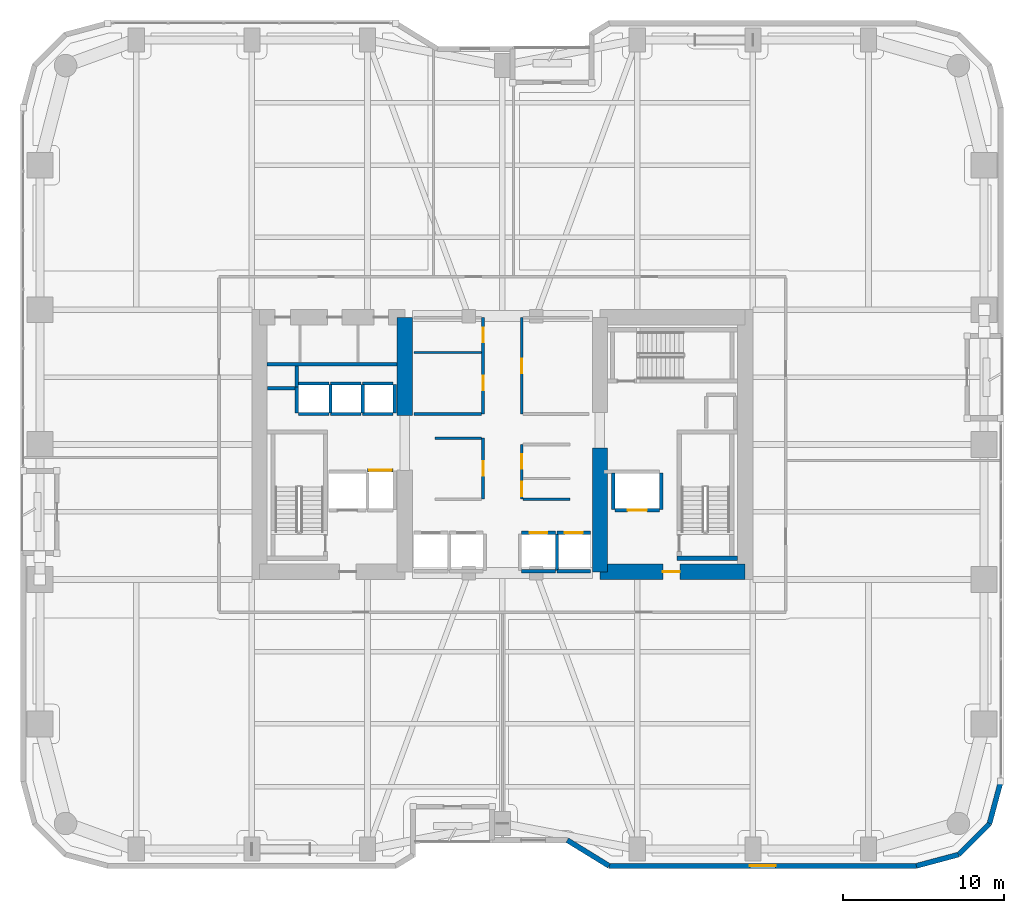
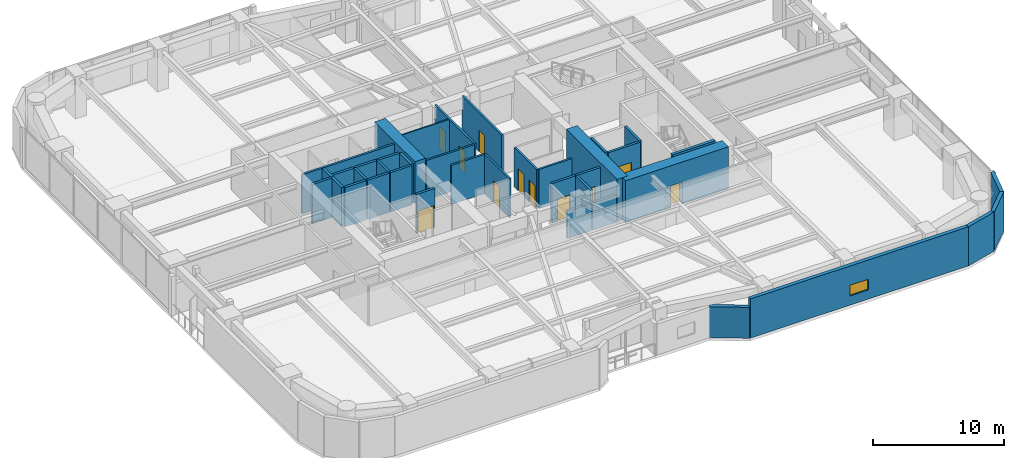
# One storey, part 23 of 29: 39 walls, 11 doors, 1 window, 12 openings.
"""IFC4 building model written with IfcOpenShell, lengths in metres."""

from ifc_helpers import new_model, si_unit, direction, frame, frame_2d, origin, place, context, subcontext, project, spatial, rectangle, extrude, material, layer, layer_set, type_object, element, fill, save


model = new_model("IFC4")

# Units and contexts
model_context = context("Model", 3, precision=1e-05, world=origin(), true_north=direction((0.0, 1.0)))
body_context = subcontext(model_context, "Body", "Model", "MODEL_VIEW")
ifc_project = project(units=[si_unit("LENGTHUNIT", "METRE"), si_unit("AREAUNIT", "SQUARE_METRE"), si_unit("VOLUMEUNIT", "CUBIC_METRE"), si_unit("PLANEANGLEUNIT", "RADIAN"), si_unit("MASSUNIT", "GRAM", prefix="KILO")], contexts=[model_context])

# Site, building, storey
site_placement = place(None, origin())
site = spatial("IfcSite", under=ifc_project, at=site_placement, CompositionType="ELEMENT")
building_placement = place(site_placement, origin())
building = spatial("IfcBuilding", under=site, at=building_placement, Name="Kiyonajd Concourse Tower", CompositionType="ELEMENT")
storey_placement = place(building_placement, frame((0.0, 0.0, 29.39990234375)))
storey = spatial("IfcBuildingStorey", under=building, at=storey_placement, Name="L08", CompositionType="ELEMENT", Elevation=29.39990234375)

# Walls
ifc_material_1 = material(Name="Concrete C80/95", Category="concrete")
ifc_layer_1 = layer(ifc_material_1, 0.949951171875)
ifc_layer_set_1 = layer_set([ifc_layer_1], Name="Concrete C80/95")
wall_type_1 = type_object("IfcWallType", Name="WL-CORE-950", PredefinedType="SHEAR", material=ifc_layer_set_1)
wall_1_placement = place(storey_placement, frame((41.925048828125, 37.800048828125, 0.0), z_axis=(0.0, 0.0, 1.0), x_axis=(0.0, 1.0, 0.0)))
element("IfcWall", 1, at=wall_1_placement, inside=storey, type_object=wall_type_1, Name="L08 West Core Inner North Shear Wall", PredefinedType="SHEAR", context=body_context, shape_type="SweptSolid", body=[
    extrude(rectangle(XDim=6.125, YDim=0.949951171875, at=frame_2d((3.0625, 0.0))), origin(), (0.0, 0.0, 1.0), 3.900146484375),
])
wall_2_placement = place(storey_placement, frame((54.074951171875, 28.074951171875, 0.0), z_axis=(0.0, 0.0, 1.0), x_axis=(0.0, 1.0, 0.0)))
element("IfcWall", 2, at=wall_2_placement, inside=storey, type_object=wall_type_1, Name="L08 East Core Inner South Shear Wall", PredefinedType="SHEAR", context=body_context, shape_type="SweptSolid", body=[
    extrude(rectangle(XDim=7.72509765625, YDim=0.949951171875, at=frame_2d((3.862548828125, 0.0))), origin(), (0.0, 0.0, 1.0), 3.900146484375),
])

# Wall, opening, door
wall_3_placement = place(storey_placement, frame((54.074951171875, 28.074951171875, 0.0), z_axis=(0.0, 0.0, 1.0), x_axis=(1.0, 0.0, 0.0)))
wall_3 = element("IfcWall", 3, at=wall_3_placement, inside=storey, type_object=wall_type_1, Name="L08 East Core South Shear Wall", PredefinedType="SHEAR", context=body_context, shape_type="SweptSolid", body=[
    extrude(rectangle(XDim=9.050048828125, YDim=0.949951171875, at=frame_2d((4.52490234375, 0.0))), origin(), (0.0, 0.0, 1.0), 3.900146484375),
])
opening_1_placement = place(wall_3_placement, frame((3.925048828125, 0.0, 0.0)))
opening_1 = element("IfcOpeningElement", 4, at=opening_1_placement, cuts=wall_3, Name="Opening DF5", PredefinedType="OPENING", context=body_context, shape_type="SweptSolid", body=[
    extrude(rectangle(XDim=1.050048828125, YDim=2.0400390625, at=frame_2d((0.52490234375, 1.02001953125))), frame((0.0, 0.48486328125, 0.0), z_axis=(0.0, -1.0, 0.0), x_axis=(1.0, 0.0, 0.0)), (0.0, 0.0, 1.0), 0.969970703125),
])
ifc_material_2 = material(Name="Brushed Stainless Steel Cab Assembly", Category="steel")
door_type_1 = type_object("IfcDoorType", Name="DR-FD45-1050", OperationType="NOTDEFINED", PredefinedType="DOOR", material=ifc_material_2)
door_1_placement = place(opening_1_placement, origin())
door_1 = element("IfcDoor", 5, at=door_1_placement, inside=storey, type_object=door_type_1, Name="L08 Firefighting Lift Lobby E Smoke Door", OperationType="SINGLE_SWING_RIGHT", OverallHeight=2.0400390625, OverallWidth=1.050048828125, PredefinedType="DOOR", context=body_context, shape_type="SweptSolid", body=[
    extrude(rectangle(XDim=1.050048828125, YDim=2.0400390625, at=frame_2d((0.52490234375, 1.02001953125))), frame((0.0, 0.02490234375, 0.0), z_axis=(0.0, -1.0, 0.0), x_axis=(1.0, 0.0, 0.0)), (0.0, 0.0, 1.0), 0.050048828125),
])
fill(opening_1, door_1)

# Walls
ifc_material_3 = material(Name="Precast concrete C50/60", Category="concrete")
ifc_layer_2 = layer(ifc_material_3, 0.320068359375)
ifc_layer_set_2 = layer_set([ifc_layer_2], Name="Precast concrete C50/60")
wall_type_2 = type_object("IfcWallType", Name="WL-EXT-320", PredefinedType="SOLIDWALL", material=ifc_layer_set_2)
wall_4_placement = place(storey_placement, frame((79.0400390625, 15.02099609375, 0.0), z_axis=(0.0, 0.0, 1.0), x_axis=(-0.25869736047, -0.965958423373, 0.0)))
element("IfcWall", 6, at=wall_4_placement, inside=storey, type_object=wall_type_2, Name="L08 Exterior Concrete Frame Wall 25", PredefinedType="SOLIDWALL", context=body_context, shape_type="SweptSolid", body=[
    extrude(rectangle(XDim=2.731201171875, YDim=0.320068359375, at=frame_2d((1.36572265625, 0.0))), origin(), (0.0, 0.0, 1.0), 3.64013671875),
])
wall_5_placement = place(storey_placement, frame((78.33349609375, 12.3828125, 0.0), z_axis=(0.0, 0.0, 1.0), x_axis=(-0.707106781187, -0.707106781187, 0.0)))
element("IfcWall", 7, at=wall_5_placement, inside=storey, type_object=wall_type_2, Name="L08 Exterior Concrete Frame Wall 26", PredefinedType="SOLIDWALL", context=body_context, shape_type="SweptSolid", body=[
    extrude(rectangle(XDim=2.7099609375, YDim=0.320068359375, at=frame_2d((1.35498046875, 0.0))), origin(), (0.0, 0.0, 1.0), 3.64013671875),
])
wall_6_placement = place(storey_placement, frame((76.417236328125, 10.466552734375, 0.0), z_axis=(0.0, 0.0, 1.0), x_axis=(-0.965964405026, -0.25867502435, 0.0)))
element("IfcWall", 8, at=wall_6_placement, inside=storey, type_object=wall_type_2, Name="L08 Exterior Concrete Frame Wall 27", PredefinedType="SOLIDWALL", context=body_context, shape_type="SweptSolid", body=[
    extrude(rectangle(XDim=2.7314453125, YDim=0.320068359375, at=frame_2d((1.36572265625, 0.0))), origin(), (0.0, 0.0, 1.0), 3.64013671875),
])

# Wall, opening, window
wall_7_placement = place(storey_placement, frame((73.77880859375, 9.760009765625, 0.0), z_axis=(0.0, 0.0, 1.0), x_axis=(-1.0, 0.0, 0.0)))
wall_7 = element("IfcWall", 9, at=wall_7_placement, inside=storey, type_object=wall_type_2, Name="L08 Exterior Concrete Frame Wall 28", PredefinedType="SOLIDWALL", context=body_context, shape_type="SweptSolid", body=[
    extrude(rectangle(XDim=19.133544921875, YDim=0.320068359375, at=frame_2d((9.56689453125, 0.0))), origin(), (0.0, 0.0, 1.0), 3.64013671875),
])
opening_2_placement = place(wall_7_placement, frame((8.76708984375, 0.0, 0.85009765625)))
opening_2 = element("IfcOpeningElement", 10, at=opening_2_placement, cuts=wall_7, Name="Opening WN6", PredefinedType="OPENING", context=body_context, shape_type="SweptSolid", body=[
    extrude(rectangle(XDim=1.60009765625, YDim=1.0, at=frame_2d((0.800048828125, 0.5))), frame((0.0, 0.169921875, 0.0), z_axis=(0.0, -1.0, 0.0), x_axis=(1.0, 0.0, 0.0)), (0.0, 0.0, 1.0), 0.340087890625),
])
ifc_material_4 = material(Name="Double Low-E Insulated Glass", Category="glass")
window_type = type_object("IfcWindowType", Name="WN-VIS-1600x1000", PartitioningType="SINGLE_PANEL", PredefinedType="WINDOW", material=ifc_material_4)
window_placement = place(opening_2_placement, origin())
window = element("IfcWindow", 11, at=window_placement, inside=storey, type_object=window_type, Name="L08 Modular Facade Vision Window 28", OverallHeight=1.0, OverallWidth=1.60009765625, PartitioningType="SINGLE_PANEL", PredefinedType="WINDOW", context=body_context, shape_type="SweptSolid", body=[
    extrude(rectangle(XDim=1.60009765625, YDim=1.0, at=frame_2d((0.800048828125, 0.5))), frame((0.0, 0.030029296875, 0.0), z_axis=(0.0, -1.0, 0.0), x_axis=(1.0, 0.0, 0.0)), (0.0, 0.0, 1.0), 0.06005859375),
])
fill(opening_2, window)

# Walls
wall_8_placement = place(storey_placement, frame((54.645263671875, 9.760009765625, 0.0), z_axis=(0.0, 0.0, 1.0), x_axis=(-0.851630857047, 0.524142044989, 0.0)))
element("IfcWall", 12, at=wall_8_placement, inside=storey, type_object=wall_type_2, Name="L08 Exterior Concrete Frame Wall 29", PredefinedType="SOLIDWALL", context=body_context, shape_type="SweptSolid", body=[
    extrude(rectangle(XDim=3.052734375, YDim=0.320068359375, at=frame_2d((1.5263671875, 0.0))), origin(), (0.0, 0.0, 1.0), 2.875),
])
ifc_material_5 = material(Name="Gypsum Board on Cold-Formed Steel Stud", Category="steel")
ifc_layer_3 = layer(ifc_material_5, 0.125)
ifc_layer_set_3 = layer_set([ifc_layer_3], Name="Gypsum Board on Cold-Formed Steel Stud")
wall_type_3 = type_object("IfcWallType", Name="WL-PART-125", PredefinedType="PARTITIONING", material=ifc_layer_set_3)
wall_9_placement = place(storey_placement, frame((42.5, 41.739990234375, 0.0), z_axis=(0.0, 0.0, 1.0), x_axis=(1.0, 0.0, 0.0)))
element("IfcWall", 13, at=wall_9_placement, inside=storey, type_object=wall_type_3, Name="L08 Interior Partition Wall", PredefinedType="PARTITIONING", context=body_context, shape_type="SweptSolid", body=[
    extrude(rectangle(XDim=4.212890625, YDim=0.125, at=frame_2d((2.1064453125, 0.0))), origin(), (0.0, 0.0, 1.0), 3.64013671875),
])
ifc_layer_4 = layer(ifc_material_5, 0.18994140625)
ifc_layer_set_4 = layer_set([ifc_layer_4], Name="Gypsum Board on Cold-Formed Steel Stud")
wall_type_4 = type_object("IfcWallType", Name="WL-PLMB-190", PredefinedType="PLUMBINGWALL", material=ifc_layer_set_4)
wall_10_placement = place(storey_placement, frame((33.35009765625, 41.0, 0.0), z_axis=(0.0, 0.0, 1.0), x_axis=(1.0, 0.0, 0.0)))
element("IfcWall", 14, at=wall_10_placement, inside=storey, type_object=wall_type_4, Name="L08 Interior Partition Wall", PredefinedType="PLUMBINGWALL", context=body_context, shape_type="SweptSolid", body=[
    extrude(rectangle(XDim=8.099853515625, YDim=0.18994140625, at=frame_2d((4.0498046875, 0.0))), origin(), (0.0, 0.0, 1.0), 3.64013671875),
])
ifc_layer_5 = layer(ifc_material_5, 0.2099609375)
ifc_layer_set_5 = layer_set([ifc_layer_5], Name="Gypsum Board on Cold-Formed Steel Stud")
wall_type_5 = type_object("IfcWallType", Name="WL-SHAFT-210", PredefinedType="PARTITIONING", material=ifc_layer_set_5)
wall_11_placement = place(storey_placement, frame((33.360107421875, 39.5, 0.0), z_axis=(0.0, 0.0, 1.0), x_axis=(1.0, 0.0, 0.0)))
element("IfcWall", 15, at=wall_11_placement, inside=storey, type_object=wall_type_5, Name="L08 Shaft Enclosure Wall", PredefinedType="PARTITIONING", context=body_context, shape_type="SweptSolid", body=[
    extrude(rectangle(XDim=1.85986328125, YDim=0.2099609375, at=frame_2d((0.929931640625, 0.0))), origin(), (0.0, 0.0, 1.0), 3.64013671875),
])
wall_12_placement = place(storey_placement, frame((35.199951171875, 39.580078125, 0.0), z_axis=(0.0, 0.0, 1.0), x_axis=(0.0, 1.0, 0.0)))
element("IfcWall", 16, at=wall_12_placement, inside=storey, type_object=wall_type_5, Name="L08 Shaft Enclosure Wall", PredefinedType="PARTITIONING", context=body_context, shape_type="SweptSolid", body=[
    extrude(rectangle(XDim=1.31982421875, YDim=0.2099609375, at=frame_2d((0.659912109375, 0.0))), origin(), (0.0, 0.0, 1.0), 3.64013671875),
])

# Wall, opening, door
wall_13_placement = place(storey_placement, frame((55.0, 31.89990234375, 0.0), z_axis=(0.0, 0.0, 1.0), x_axis=(1.0, 0.0, 0.0)))
wall_13 = element("IfcWall", 17, at=wall_13_placement, inside=storey, type_object=wall_type_5, Name="L08 Shaft Enclosure Wall", PredefinedType="PARTITIONING", context=body_context, shape_type="SweptSolid", body=[
    extrude(rectangle(XDim=2.800048828125, YDim=0.2099609375, at=frame_2d((1.39990234375, 0.0))), origin(), (0.0, 0.0, 1.0), 3.64013671875),
])
opening_3_placement = place(wall_13_placement, frame((0.800048828125, 0.0, 0.0)))
opening_3 = element("IfcOpeningElement", 18, at=opening_3_placement, cuts=wall_13, Name="Opening LD2", PredefinedType="OPENING", context=body_context, shape_type="SweptSolid", body=[
    extrude(rectangle(XDim=1.199951171875, YDim=2.0400390625, at=frame_2d((0.60009765625, 1.02001953125))), frame((0.0, 0.114990234375, 0.0), z_axis=(0.0, -1.0, 0.0), x_axis=(1.0, 0.0, 0.0)), (0.0, 0.0, 1.0), 0.22998046875),
])
door_type_2 = type_object("IfcDoorType", Name="DR-LD-1200", OperationType="DOUBLE_DOOR_SLIDING", PredefinedType="DOOR", material=ifc_material_2)
door_2_placement = place(opening_3_placement, origin())
door_2 = element("IfcDoor", 19, at=door_2_placement, inside=storey, type_object=door_type_2, Name="L08 Lift FFL2 Sliding Landing Door", OperationType="DOUBLE_DOOR_SLIDING", OverallHeight=2.0400390625, OverallWidth=1.199951171875, PredefinedType="DOOR", context=body_context, shape_type="SweptSolid", body=[
    extrude(rectangle(XDim=1.199951171875, YDim=2.0400390625, at=frame_2d((0.60009765625, 1.02001953125))), frame((0.0, 0.02490234375, 0.0), z_axis=(0.0, -1.0, 0.0), x_axis=(1.0, 0.0, 0.0)), (0.0, 0.0, 1.0), 0.050048828125),
])
fill(opening_3, door_2)

# Walls
for number, where, z_axis, x_axis, name in (
    (20, (54.89990234375, 31.9599609375, 0.0), (0.0, 0.0, 1.0), (0.0, 1.0, 0.0), "L08 Shaft Enclosure Wall"),
    (21, (57.89990234375, 31.9599609375, 0.0), (0.0, 0.0, 1.0), (0.0, 1.0, 0.0), "L08 Shaft Enclosure Wall"),
):
    element("IfcWall", number, at=place(storey_placement, frame(where, z_axis=z_axis, x_axis=x_axis)), inside=storey, type_object=wall_type_5, Name=name, PredefinedType="PARTITIONING", context=body_context, shape_type="SweptSolid", body=[
        extrude(rectangle(XDim=2.280029296875, YDim=0.2099609375, at=frame_2d((1.14013671875, 0.0))), origin(), (0.0, 0.0, 1.0), 3.64013671875),
    ])

# Wall, opening, door
wall_14_placement = place(storey_placement, frame((39.60009765625, 34.39990234375, 0.0), z_axis=(0.0, 0.0, 1.0), x_axis=(1.0, 0.0, 0.0)))
wall_14 = element("IfcWall", 22, at=wall_14_placement, inside=storey, type_object=wall_type_5, Name="L08 Shaft Enclosure Wall", PredefinedType="PARTITIONING", context=body_context, shape_type="SweptSolid", body=[
    extrude(rectangle(XDim=1.599853515625, YDim=0.2099609375, at=frame_2d((0.7998046875, 0.0))), origin(), (0.0, 0.0, 1.0), 3.64013671875),
])
opening_4_placement = place(wall_14_placement, frame((0.10009765625, 0.0, 0.0)))
opening_4 = element("IfcOpeningElement", 23, at=opening_4_placement, cuts=wall_14, Name="Opening LD3", PredefinedType="OPENING", context=body_context, shape_type="SweptSolid", body=[
    extrude(rectangle(XDim=1.39990234375, YDim=2.06005859375, at=frame_2d((0.699951171875, 1.030029296875))), frame((0.0, 0.114990234375, 0.0), z_axis=(0.0, -1.0, 0.0), x_axis=(1.0, 0.0, 0.0)), (0.0, 0.0, 1.0), 0.22998046875),
])
door_type_3 = type_object("IfcDoorType", Name="DR-LD-1400", OperationType="DOUBLE_DOOR_SLIDING", PredefinedType="DOOR", material=ifc_material_2)
door_3_placement = place(opening_4_placement, origin())
door_3 = element("IfcDoor", 24, at=door_3_placement, inside=storey, type_object=door_type_3, Name="L08 Lift SVL1 Sliding Landing Door", OperationType="DOUBLE_DOOR_SLIDING", OverallHeight=2.06005859375, OverallWidth=1.39990234375, PredefinedType="DOOR", context=body_context, shape_type="SweptSolid", body=[
    extrude(rectangle(XDim=1.39990234375, YDim=2.06005859375, at=frame_2d((0.699951171875, 1.030029296875))), frame((0.0, 0.02490234375, 0.0), z_axis=(0.0, -1.0, 0.0), x_axis=(1.0, 0.0, 0.0)), (0.0, 0.0, 1.0), 0.050048828125),
])
fill(opening_4, door_3)

wall_15_placement = place(storey_placement, frame((49.199951171875, 30.5, 0.0), z_axis=(0.0, 0.0, 1.0), x_axis=(1.0, 0.0, 0.0)))
wall_15 = element("IfcWall", 25, at=wall_15_placement, inside=storey, type_object=wall_type_5, Name="L08 Shaft Enclosure Wall", PredefinedType="PARTITIONING", context=body_context, shape_type="SweptSolid", body=[
    extrude(rectangle(XDim=2.10009765625, YDim=0.2099609375, at=frame_2d((1.050048828125, 0.0))), origin(), (0.0, 0.0, 1.0), 3.64013671875),
])
opening_5_placement = place(wall_15_placement, frame((0.5, 0.0, 0.0)))
opening_5 = element("IfcOpeningElement", 26, at=opening_5_placement, cuts=wall_15, Name="Opening LD1", PredefinedType="OPENING", context=body_context, shape_type="SweptSolid", body=[
    extrude(rectangle(XDim=1.10009765625, YDim=2.0400390625, at=frame_2d((0.550048828125, 1.02001953125))), frame((0.0, 0.114990234375, 0.0), z_axis=(0.0, -1.0, 0.0), x_axis=(1.0, 0.0, 0.0)), (0.0, 0.0, 1.0), 0.22998046875),
])
door_type_4 = type_object("IfcDoorType", Name="DR-LD-1100", OperationType="DOUBLE_DOOR_SLIDING", PredefinedType="DOOR", material=ifc_material_2)
door_4_placement = place(opening_5_placement, origin())
door_4 = element("IfcDoor", 27, at=door_4_placement, inside=storey, type_object=door_type_4, Name="L08 Lift PL-L3 Sliding Landing Door", OperationType="DOUBLE_DOOR_SLIDING", OverallHeight=2.0400390625, OverallWidth=1.10009765625, PredefinedType="DOOR", context=body_context, shape_type="SweptSolid", body=[
    extrude(rectangle(XDim=1.10009765625, YDim=2.0400390625, at=frame_2d((0.550048828125, 1.02001953125))), frame((0.0, 0.02490234375, 0.0), z_axis=(0.0, -1.0, 0.0), x_axis=(1.0, 0.0, 0.0)), (0.0, 0.0, 1.0), 0.050048828125),
])
fill(opening_5, door_4)

# Walls
wall_16_placement = place(storey_placement, frame((49.199951171875, 28.10009765625, 0.0), z_axis=(0.0, 0.0, 1.0), x_axis=(1.0, 0.0, 0.0)))
element("IfcWall", 28, at=wall_16_placement, inside=storey, type_object=wall_type_5, Name="L08 Shaft Enclosure Wall", PredefinedType="PARTITIONING", context=body_context, shape_type="SweptSolid", body=[
    extrude(rectangle(XDim=2.10009765625, YDim=0.2099609375, at=frame_2d((1.050048828125, 0.0))), origin(), (0.0, 0.0, 1.0), 2.525146484375),
])
wall_17_placement = place(storey_placement, frame((51.39990234375, 28.159912109375, 0.0), z_axis=(0.0, 0.0, 1.0), x_axis=(0.0, 1.0, 0.0)))
element("IfcWall", 29, at=wall_17_placement, inside=storey, type_object=wall_type_5, Name="L08 Shaft Enclosure Wall", PredefinedType="PARTITIONING", context=body_context, shape_type="SweptSolid", body=[
    extrude(rectangle(XDim=2.280029296875, YDim=0.2099609375, at=frame_2d((1.14013671875, 0.0))), origin(), (0.0, 0.0, 1.0), 3.64013671875),
])

# Wall, opening, door
wall_18_placement = place(storey_placement, frame((51.39990234375, 30.5, 0.0), z_axis=(0.0, 0.0, 1.0), x_axis=(1.0, 0.0, 0.0)))
wall_18 = element("IfcWall", 30, at=wall_18_placement, inside=storey, type_object=wall_type_5, Name="L08 Shaft Enclosure Wall", PredefinedType="PARTITIONING", context=body_context, shape_type="SweptSolid", body=[
    extrude(rectangle(XDim=2.10009765625, YDim=0.2099609375, at=frame_2d((1.050048828125, 0.0))), origin(), (0.0, 0.0, 1.0), 3.64013671875),
])
opening_6_placement = place(wall_18_placement, frame((0.5, 0.0, 0.0)))
opening_6 = element("IfcOpeningElement", 31, at=opening_6_placement, cuts=wall_18, Name="Opening LD1", PredefinedType="OPENING", context=body_context, shape_type="SweptSolid", body=[
    extrude(rectangle(XDim=1.10009765625, YDim=2.0400390625, at=frame_2d((0.550048828125, 1.02001953125))), frame((0.0, 0.114990234375, 0.0), z_axis=(0.0, -1.0, 0.0), x_axis=(1.0, 0.0, 0.0)), (0.0, 0.0, 1.0), 0.22998046875),
])
door_5_placement = place(opening_6_placement, origin())
door_5 = element("IfcDoor", 32, at=door_5_placement, inside=storey, type_object=door_type_4, Name="L08 Lift PL-L4 Sliding Landing Door", OperationType="DOUBLE_DOOR_SLIDING", OverallHeight=2.0400390625, OverallWidth=1.10009765625, PredefinedType="DOOR", context=body_context, shape_type="SweptSolid", body=[
    extrude(rectangle(XDim=1.10009765625, YDim=2.0400390625, at=frame_2d((0.550048828125, 1.02001953125))), frame((0.0, 0.02490234375, 0.0), z_axis=(0.0, -1.0, 0.0), x_axis=(1.0, 0.0, 0.0)), (0.0, 0.0, 1.0), 0.050048828125),
])
fill(opening_6, door_5)

# Walls
wall_19_placement = place(storey_placement, frame((51.39990234375, 28.10009765625, 0.0), z_axis=(0.0, 0.0, 1.0), x_axis=(1.0, 0.0, 0.0)))
element("IfcWall", 33, at=wall_19_placement, inside=storey, type_object=wall_type_5, Name="L08 Shaft Enclosure Wall", PredefinedType="PARTITIONING", context=body_context, shape_type="SweptSolid", body=[
    extrude(rectangle(XDim=2.10009765625, YDim=0.2099609375, at=frame_2d((1.050048828125, 0.0))), origin(), (0.0, 0.0, 1.0), 2.525146484375),
])
for number, where, z_axis, x_axis, name in (
    (34, (35.300048828125, 37.89990234375, 0.0), (0.0, 0.0, 1.0), (1.0, 0.0, 0.0), "L08 Shaft Enclosure Wall"),
    (35, (35.300048828125, 39.800048828125, 0.0), (0.0, 0.0, 1.0), (1.0, 0.0, 0.0), "L08 Shaft Enclosure Wall"),
):
    element("IfcWall", number, at=place(storey_placement, frame(where, z_axis=z_axis, x_axis=x_axis)), inside=storey, type_object=wall_type_5, Name=name, PredefinedType="PARTITIONING", context=body_context, shape_type="SweptSolid", body=[
        extrude(rectangle(XDim=1.89990234375, YDim=0.2099609375, at=frame_2d((0.949951171875, 0.0))), origin(), (0.0, 0.0, 1.0), 3.64013671875),
    ])
wall_20_placement = place(storey_placement, frame((35.199951171875, 37.9599609375, 0.0), z_axis=(0.0, 0.0, 1.0), x_axis=(0.0, 1.0, 0.0)))
element("IfcWall", 36, at=wall_20_placement, inside=storey, type_object=wall_type_5, Name="L08 Shaft Enclosure Wall", PredefinedType="PARTITIONING", context=body_context, shape_type="SweptSolid", body=[
    extrude(rectangle(XDim=1.6201171875, YDim=0.2099609375, at=frame_2d((0.81005859375, 0.0))), origin(), (0.0, 0.0, 1.0), 3.64013671875),
])
wall_21_placement = place(storey_placement, frame((37.300048828125, 37.9599609375, 0.0), z_axis=(0.0, 0.0, 1.0), x_axis=(0.0, 1.0, 0.0)))
element("IfcWall", 37, at=wall_21_placement, inside=storey, type_object=wall_type_5, Name="L08 Shaft Enclosure Wall", PredefinedType="PARTITIONING", context=body_context, shape_type="SweptSolid", body=[
    extrude(rectangle(XDim=1.780029296875, YDim=0.2099609375, at=frame_2d((0.89013671875, 0.0))), origin(), (0.0, 0.0, 1.0), 3.64013671875),
])
for number, where, z_axis, x_axis, name in (
    (38, (37.300048828125, 37.89990234375, 0.0), (0.0, 0.0, 1.0), (1.0, 0.0, 0.0), "L08 Shaft Enclosure Wall"),
    (39, (37.300048828125, 39.800048828125, 0.0), (0.0, 0.0, 1.0), (1.0, 0.0, 0.0), "L08 Shaft Enclosure Wall"),
):
    element("IfcWall", number, at=place(storey_placement, frame(where, z_axis=z_axis, x_axis=x_axis)), inside=storey, type_object=wall_type_5, Name=name, PredefinedType="PARTITIONING", context=body_context, shape_type="SweptSolid", body=[
        extrude(rectangle(XDim=1.89990234375, YDim=0.2099609375, at=frame_2d((0.949951171875, 0.0))), origin(), (0.0, 0.0, 1.0), 3.64013671875),
    ])
wall_22_placement = place(storey_placement, frame((39.300048828125, 37.9599609375, 0.0), z_axis=(0.0, 0.0, 1.0), x_axis=(0.0, 1.0, 0.0)))
element("IfcWall", 40, at=wall_22_placement, inside=storey, type_object=wall_type_5, Name="L08 Shaft Enclosure Wall", PredefinedType="PARTITIONING", context=body_context, shape_type="SweptSolid", body=[
    extrude(rectangle(XDim=1.780029296875, YDim=0.2099609375, at=frame_2d((0.89013671875, 0.0))), origin(), (0.0, 0.0, 1.0), 3.64013671875),
])
for number, where, z_axis, x_axis, name in (
    (41, (39.300048828125, 37.89990234375, 0.0), (0.0, 0.0, 1.0), (1.0, 0.0, 0.0), "L08 Shaft Enclosure Wall"),
    (42, (39.300048828125, 39.800048828125, 0.0), (0.0, 0.0, 1.0), (1.0, 0.0, 0.0), "L08 Shaft Enclosure Wall"),
):
    element("IfcWall", number, at=place(storey_placement, frame(where, z_axis=z_axis, x_axis=x_axis)), inside=storey, type_object=wall_type_5, Name=name, PredefinedType="PARTITIONING", context=body_context, shape_type="SweptSolid", body=[
        extrude(rectangle(XDim=1.89990234375, YDim=0.2099609375, at=frame_2d((0.949951171875, 0.0))), origin(), (0.0, 0.0, 1.0), 3.64013671875),
    ])
wall_23_placement = place(storey_placement, frame((41.300048828125, 37.9599609375, 0.0), z_axis=(0.0, 0.0, 1.0), x_axis=(0.0, 1.0, 0.0)))
element("IfcWall", 43, at=wall_23_placement, inside=storey, type_object=wall_type_5, Name="L08 Shaft Enclosure Wall", PredefinedType="PARTITIONING", context=body_context, shape_type="SweptSolid", body=[
    extrude(rectangle(XDim=1.780029296875, YDim=0.2099609375, at=frame_2d((0.89013671875, 0.0))), origin(), (0.0, 0.0, 1.0), 3.64013671875),
])

# Wall, opening, door
ifc_layer_6 = layer(ifc_material_5, 0.169921875)
ifc_layer_set_6 = layer_set([ifc_layer_6], Name="Gypsum Board on Cold-Formed Steel Stud")
wall_type_6 = type_object("IfcWallType", Name="WL-SMK-170", PredefinedType="PARTITIONING", material=ifc_layer_set_6)
wall_24_placement = place(storey_placement, frame((46.800048828125, 32.60009765625, 0.0), z_axis=(0.0, 0.0, 1.0), x_axis=(0.0, 1.0, 0.0)))
wall_24 = element("IfcWall", 44, at=wall_24_placement, inside=storey, type_object=wall_type_6, Name="L08 Interior Partition Wall", PredefinedType="PARTITIONING", context=body_context, shape_type="SweptSolid", body=[
    extrude(rectangle(XDim=3.7998046875, YDim=0.169921875, at=frame_2d((1.89990234375, 0.0))), origin(), (0.0, 0.0, 1.0), 3.64013671875),
])
opening_7_placement = place(wall_24_placement, frame((1.449951171875, 0.0, 0.0)))
opening_7 = element("IfcOpeningElement", 45, at=opening_7_placement, cuts=wall_24, Name="Opening DI2", PredefinedType="OPENING", context=body_context, shape_type="SweptSolid", body=[
    extrude(rectangle(XDim=0.89990234375, YDim=2.02001953125, at=frame_2d((0.449951171875, 1.010009765625))), frame((0.0, 0.094970703125, 0.0), z_axis=(0.0, -1.0, 0.0), x_axis=(1.0, 0.0, 0.0)), (0.0, 0.0, 1.0), 0.18994140625),
])
ifc_material_6 = material(Name="Natural Oak Acoustic Timber Veneer", Category="wood")
door_type_5 = type_object("IfcDoorType", Name="DR-INT-900", OperationType="NOTDEFINED", PredefinedType="DOOR", material=ifc_material_6)
door_6_placement = place(opening_7_placement, origin())
door_6 = element("IfcDoor", 46, at=door_6_placement, inside=storey, type_object=door_type_5, Name="L08 Interior Door", OperationType="SINGLE_SWING_RIGHT", OverallHeight=2.02001953125, OverallWidth=0.89990234375, PredefinedType="DOOR", context=body_context, shape_type="SweptSolid", body=[
    extrude(rectangle(XDim=0.89990234375, YDim=2.02001953125, at=frame_2d((0.449951171875, 1.010009765625))), frame((0.0, 0.02490234375, 0.0), z_axis=(0.0, -1.0, 0.0), x_axis=(1.0, 0.0, 0.0)), (0.0, 0.0, 1.0), 0.050048828125),
])
fill(opening_7, door_6)

# Wall
wall_25_placement = place(storey_placement, frame((43.800048828125, 36.39990234375, 0.0), z_axis=(0.0, 0.0, 1.0), x_axis=(1.0, 0.0, 0.0)))
element("IfcWall", 47, at=wall_25_placement, inside=storey, type_object=wall_type_6, Name="L08 Interior Partition Wall", PredefinedType="PARTITIONING", context=body_context, shape_type="SweptSolid", body=[
    extrude(rectangle(XDim=2.912841796875, YDim=0.169921875, at=frame_2d((1.45654296875, 0.0))), origin(), (0.0, 0.0, 1.0), 3.64013671875),
])

# Wall, openings, doors
wall_26_placement = place(storey_placement, frame((49.199951171875, 32.60009765625, 0.0), z_axis=(0.0, 0.0, 1.0), x_axis=(0.0, 1.0, 0.0)))
wall_26 = element("IfcWall", 48, at=wall_26_placement, inside=storey, type_object=wall_type_6, Name="L08 Interior Partition Wall", PredefinedType="PARTITIONING", context=body_context, shape_type="SweptSolid", body=[
    extrude(rectangle(XDim=3.39990234375, YDim=0.169921875, at=frame_2d((1.699951171875, 0.0))), origin(), (0.0, 0.0, 1.0), 3.64013671875),
])
opening_8_placement = place(wall_26_placement, frame((0.196044921875, 0.0, 0.0)))
opening_8 = element("IfcOpeningElement", 49, at=opening_8_placement, cuts=wall_26, Name="Opening DI2", PredefinedType="OPENING", context=body_context, shape_type="SweptSolid", body=[
    extrude(rectangle(XDim=0.89990234375, YDim=2.02001953125, at=frame_2d((0.449951171875, 1.010009765625))), frame((0.0, 0.094970703125, 0.0), z_axis=(0.0, -1.0, 0.0), x_axis=(1.0, 0.0, 0.0)), (0.0, 0.0, 1.0), 0.18994140625),
])
opening_9_placement = place(wall_26_placement, frame((1.89599609375, 0.0, 0.0)))
opening_9 = element("IfcOpeningElement", 50, at=opening_9_placement, cuts=wall_26, Name="Opening DI2", PredefinedType="OPENING", context=body_context, shape_type="SweptSolid", body=[
    extrude(rectangle(XDim=0.89990234375, YDim=2.02001953125, at=frame_2d((0.449951171875, 1.010009765625))), frame((0.0, 0.094970703125, 0.0), z_axis=(0.0, -1.0, 0.0), x_axis=(1.0, 0.0, 0.0)), (0.0, 0.0, 1.0), 0.18994140625),
])
door_7_placement = place(opening_8_placement, origin())
door_7 = element("IfcDoor", 51, at=door_7_placement, inside=storey, type_object=door_type_5, Name="L08 Interior Door", OperationType="SINGLE_SWING_LEFT", OverallHeight=2.02001953125, OverallWidth=0.89990234375, PredefinedType="DOOR", context=body_context, shape_type="SweptSolid", body=[
    extrude(rectangle(XDim=0.89990234375, YDim=2.02001953125, at=frame_2d((0.449951171875, 1.010009765625))), frame((0.0, 0.02490234375, 0.0), z_axis=(0.0, -1.0, 0.0), x_axis=(1.0, 0.0, 0.0)), (0.0, 0.0, 1.0), 0.050048828125),
])
fill(opening_8, door_7)
door_8_placement = place(opening_9_placement, origin())
door_8 = element("IfcDoor", 52, at=door_8_placement, inside=storey, type_object=door_type_5, Name="L08 Interior Door", OperationType="SINGLE_SWING_RIGHT", OverallHeight=2.02001953125, OverallWidth=0.89990234375, PredefinedType="DOOR", context=body_context, shape_type="SweptSolid", body=[
    extrude(rectangle(XDim=0.89990234375, YDim=2.02001953125, at=frame_2d((0.449951171875, 1.010009765625))), frame((0.0, 0.02490234375, 0.0), z_axis=(0.0, -1.0, 0.0), x_axis=(1.0, 0.0, 0.0)), (0.0, 0.0, 1.0), 0.050048828125),
])
fill(opening_9, door_8)

# Wall
wall_27_placement = place(storey_placement, frame((49.287109375, 32.60009765625, 0.0), z_axis=(0.0, 0.0, 1.0), x_axis=(1.0, 0.0, 0.0)))
element("IfcWall", 53, at=wall_27_placement, inside=storey, type_object=wall_type_6, Name="L08 Interior Partition Wall", PredefinedType="PARTITIONING", context=body_context, shape_type="SweptSolid", body=[
    extrude(rectangle(XDim=2.912841796875, YDim=0.169921875, at=frame_2d((1.45654296875, 0.0))), origin(), (0.0, 0.0, 1.0), 3.64013671875),
])

# Wall, openings, doors
wall_28_placement = place(storey_placement, frame((46.800048828125, 37.89990234375, 0.0), z_axis=(0.0, 0.0, 1.0), x_axis=(0.0, 1.0, 0.0)))
wall_28 = element("IfcWall", 54, at=wall_28_placement, inside=storey, type_object=wall_type_6, Name="L08 Interior Partition Wall", PredefinedType="PARTITIONING", context=body_context, shape_type="SweptSolid", body=[
    extrude(rectangle(XDim=6.0, YDim=0.169921875, at=frame_2d((3.0, 0.0))), origin(), (0.0, 0.0, 1.0), 3.64013671875),
])
opening_10_placement = place(wall_28_placement, frame((1.469970703125, 0.0, 0.0)))
opening_10 = element("IfcOpeningElement", 55, at=opening_10_placement, cuts=wall_28, Name="Opening DF4", PredefinedType="OPENING", context=body_context, shape_type="SweptSolid", body=[
    extrude(rectangle(XDim=0.89990234375, YDim=2.02001953125, at=frame_2d((0.449951171875, 1.010009765625))), frame((0.0, 0.094970703125, 0.0), z_axis=(0.0, -1.0, 0.0), x_axis=(1.0, 0.0, 0.0)), (0.0, 0.0, 1.0), 0.18994140625),
])
opening_11_placement = place(wall_28_placement, frame((4.469970703125, 0.0, 0.0)))
opening_11 = element("IfcOpeningElement", 56, at=opening_11_placement, cuts=wall_28, Name="Opening DF4", PredefinedType="OPENING", context=body_context, shape_type="SweptSolid", body=[
    extrude(rectangle(XDim=0.89990234375, YDim=2.02001953125, at=frame_2d((0.449951171875, 1.010009765625))), frame((0.0, 0.094970703125, 0.0), z_axis=(0.0, -1.0, 0.0), x_axis=(1.0, 0.0, 0.0)), (0.0, 0.0, 1.0), 0.18994140625),
])
door_type_6 = type_object("IfcDoorType", Name="DR-FD60-900", OperationType="NOTDEFINED", PredefinedType="DOOR", material=ifc_material_2)
door_9_placement = place(opening_10_placement, origin())
door_9 = element("IfcDoor", 57, at=door_9_placement, inside=storey, type_object=door_type_6, Name="L08 Interior Door", OperationType="SINGLE_SWING_LEFT", OverallHeight=2.02001953125, OverallWidth=0.89990234375, PredefinedType="DOOR", context=body_context, shape_type="SweptSolid", body=[
    extrude(rectangle(XDim=0.89990234375, YDim=2.02001953125, at=frame_2d((0.449951171875, 1.010009765625))), frame((0.0, 0.02490234375, 0.0), z_axis=(0.0, -1.0, 0.0), x_axis=(1.0, 0.0, 0.0)), (0.0, 0.0, 1.0), 0.050048828125),
])
fill(opening_10, door_9)
door_10_placement = place(opening_11_placement, origin())
door_10 = element("IfcDoor", 58, at=door_10_placement, inside=storey, type_object=door_type_6, Name="L08 Interior Door", OperationType="SINGLE_SWING_RIGHT", OverallHeight=2.02001953125, OverallWidth=0.89990234375, PredefinedType="DOOR", context=body_context, shape_type="SweptSolid", body=[
    extrude(rectangle(XDim=0.89990234375, YDim=2.02001953125, at=frame_2d((0.449951171875, 1.010009765625))), frame((0.0, 0.02490234375, 0.0), z_axis=(0.0, -1.0, 0.0), x_axis=(1.0, 0.0, 0.0)), (0.0, 0.0, 1.0), 0.050048828125),
])
fill(opening_11, door_10)

# Wall
wall_29_placement = place(storey_placement, frame((42.5, 37.89990234375, 0.0), z_axis=(0.0, 0.0, 1.0), x_axis=(1.0, 0.0, 0.0)))
element("IfcWall", 59, at=wall_29_placement, inside=storey, type_object=wall_type_6, Name="L08 Interior Partition Wall", PredefinedType="PARTITIONING", context=body_context, shape_type="SweptSolid", body=[
    extrude(rectangle(XDim=4.212890625, YDim=0.169921875, at=frame_2d((2.1064453125, 0.0))), origin(), (0.0, 0.0, 1.0), 3.64013671875),
])

# Wall, opening, door
wall_30_placement = place(storey_placement, frame((49.199951171875, 37.89990234375, 0.0), z_axis=(0.0, 0.0, 1.0), x_axis=(0.0, 1.0, 0.0)))
wall_30 = element("IfcWall", 60, at=wall_30_placement, inside=storey, type_object=wall_type_6, Name="L08 Interior Partition Wall", PredefinedType="PARTITIONING", context=body_context, shape_type="SweptSolid", body=[
    extrude(rectangle(XDim=6.0, YDim=0.169921875, at=frame_2d((3.0, 0.0))), origin(), (0.0, 0.0, 1.0), 3.64013671875),
])
opening_12_placement = place(wall_30_placement, frame((2.550048828125, 0.0, 0.0)))
opening_12 = element("IfcOpeningElement", 61, at=opening_12_placement, cuts=wall_30, Name="Opening DI2", PredefinedType="OPENING", context=body_context, shape_type="SweptSolid", body=[
    extrude(rectangle(XDim=0.89990234375, YDim=2.02001953125, at=frame_2d((0.449951171875, 1.010009765625))), frame((0.0, 0.094970703125, 0.0), z_axis=(0.0, -1.0, 0.0), x_axis=(1.0, 0.0, 0.0)), (0.0, 0.0, 1.0), 0.18994140625),
])
door_11_placement = place(opening_12_placement, origin())
door_11 = element("IfcDoor", 62, at=door_11_placement, inside=storey, type_object=door_type_5, Name="L08 Interior Door", OperationType="SINGLE_SWING_LEFT", OverallHeight=2.02001953125, OverallWidth=0.89990234375, PredefinedType="DOOR", context=body_context, shape_type="SweptSolid", body=[
    extrude(rectangle(XDim=0.89990234375, YDim=2.02001953125, at=frame_2d((0.449951171875, 1.010009765625))), frame((0.0, 0.02490234375, 0.0), z_axis=(0.0, -1.0, 0.0), x_axis=(1.0, 0.0, 0.0)), (0.0, 0.0, 1.0), 0.050048828125),
])
fill(opening_12, door_11)

# Wall
ifc_material_7 = material(Name="Concrete C50/60", Category="concrete")
ifc_layer_7 = layer(ifc_material_7, 0.260009765625)
ifc_layer_set_7 = layer_set([ifc_layer_7], Name="Concrete C50/60")
wall_type_7 = type_object("IfcWallType", Name="WL-STAIR-260", PredefinedType="SHEAR", material=ifc_layer_set_7)
wall_31_placement = place(storey_placement, frame((58.889892578125, 28.919921875, 0.0), z_axis=(0.0, 0.0, 1.0), x_axis=(1.0, 0.0, 0.0)))
element("IfcWall", 63, at=wall_31_placement, inside=storey, type_object=wall_type_7, Name="L08 Stair ST2 Structural South Wall", PredefinedType="SHEAR", context=body_context, shape_type="SweptSolid", body=[
    extrude(rectangle(XDim=3.760009765625, YDim=0.260009765625, at=frame_2d((1.8798828125, 0.0))), origin(), (0.0, 0.0, 1.0), 3.900146484375),
])

save(model, "model.ifc")
